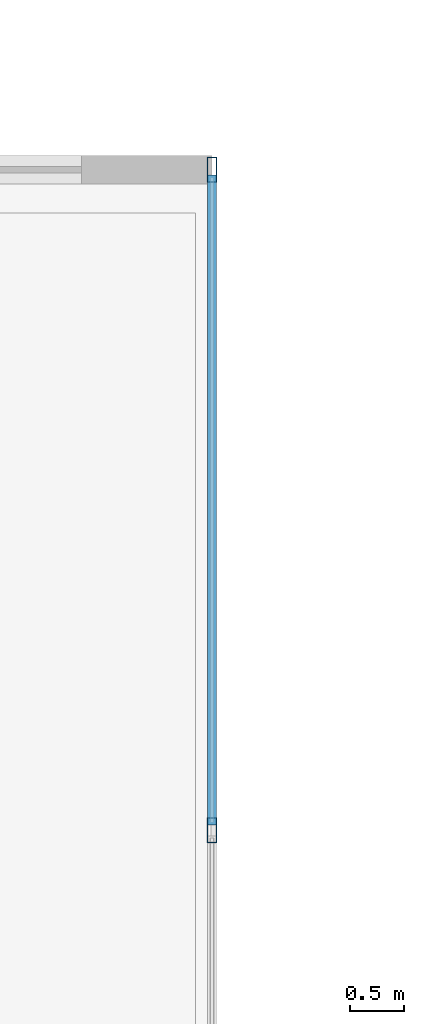
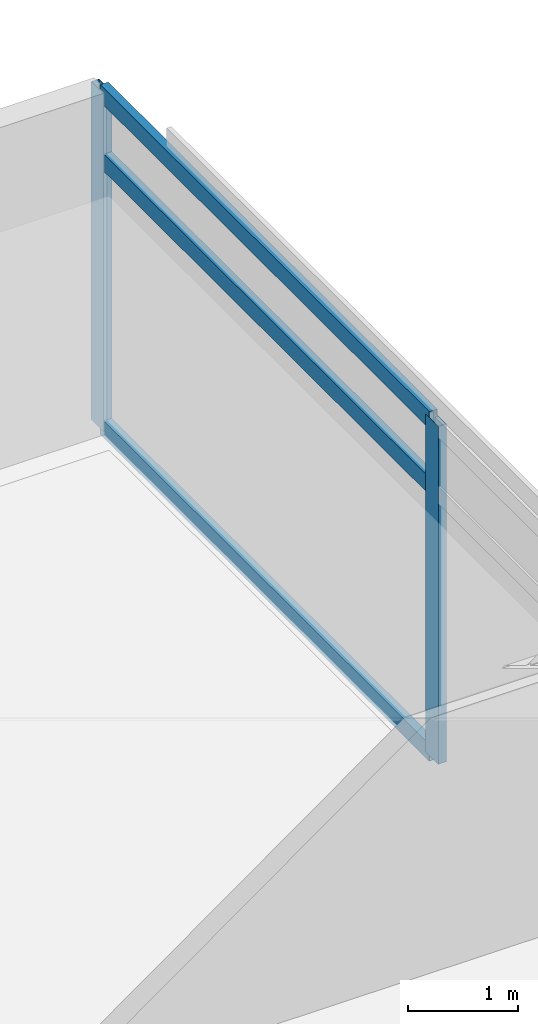
# One storey, part 11 of 20: 5 members, 1 element without a shape of its own.
"""IFC4 building model written with IfcOpenShell, lengths in metres."""

import ifcopenshell
import ifcopenshell.guid

model = None  # the IFC model being written
_history = None  # IfcOwnerHistory: only IFC2X3 demands one
_inside = {}  # id of a spatial element -> (the spatial element, [elements in it])
_under = {}  # id of a project, library or spatial element -> (it, [spatial elements below it])
_declared = {}  # id of a project -> (the project, [libraries it declares])
_typed = {}  # id of a type object -> (the type object, [elements of that type])
_made_of = {}  # id of a material, layer set ... -> (it, [elements and type objects made of it])


def new_model(schema):
    """Start an empty IFC model of exactly this schema.

    Asked for "IFC4X3", IfcOpenShell would pick the latest addendum, in which some entities
    have other attributes; the version numbers below select the first issue.
    IFC2X3 requires an IfcOwnerHistory on every rooted entity: one is made here for all.
    """
    global model, _history
    if schema == "IFC4X3":
        model = ifcopenshell.file(schema_version=(4, 3, 0, 0))
    else:
        model = ifcopenshell.file(schema=schema)
    _inside.clear()
    _under.clear()
    _declared.clear()
    _typed.clear()
    _made_of.clear()
    _history = None
    if model.schema == "IFC2X3":
        org = make("IfcOrganization", Name="unknown")
        user = make(
            "IfcPersonAndOrganization",
            ThePerson=make("IfcPerson", FamilyName="unknown"),
            TheOrganization=org,
        )
        app = make(
            "IfcApplication",
            ApplicationDeveloper=org,
            Version="unknown",
            ApplicationFullName="unknown",
            ApplicationIdentifier="unknown",
        )
        _history = make(
            "IfcOwnerHistory",
            OwningUser=user,
            OwningApplication=app,
            ChangeAction="ADDED",
            CreationDate=0,
        )
    return model


def make(cls, **values):
    """One entity of the class cls with the attributes given. An attribute that is None is left unset."""
    return model.create_entity(
        cls, **{name: value for name, value in values.items() if value is not None}
    )


def rooted(cls, **values):
    """An entity with a GlobalId (a new one), such as an element, a storey or a relation."""
    return make(cls, GlobalId=ifcopenshell.guid.new(), OwnerHistory=_history, **values)


def si_unit(unit_type, name, prefix=None):
    """IfcSIUnit, for example si_unit("LENGTHUNIT", "METRE", prefix="MILLI")."""
    return make("IfcSIUnit", UnitType=unit_type, Prefix=prefix, Name=name)


def assignment(units):
    """IfcUnitAssignment: the units of a project."""
    return None if units is None else make("IfcUnitAssignment", Units=units)


def point(xyz):
    """IfcCartesianPoint."""
    return None if xyz is None else make("IfcCartesianPoint", Coordinates=xyz)


def direction(xyz):
    """IfcDirection."""
    return None if xyz is None else make("IfcDirection", DirectionRatios=xyz)


def frame(location, z_axis=None, x_axis=None):
    """IfcAxis2Placement3D, a coordinate frame: its origin and axes. An axis left out is left unset."""
    return make(
        "IfcAxis2Placement3D",
        Location=point(location),
        Axis=direction(z_axis),
        RefDirection=direction(x_axis),
    )


def frame_2d(location, x_axis=None):
    """IfcAxis2Placement2D, a coordinate frame in the plane: its origin and x axis."""
    return make(
        "IfcAxis2Placement2D", Location=point(location), RefDirection=direction(x_axis)
    )


def origin():
    """The frame at (0, 0, 0) with its axes left unset."""
    return frame((0.0, 0.0, 0.0))


def origin_2d():
    """The frame at (0, 0) in the plane with its x axis left unset."""
    return frame_2d((0.0, 0.0))


def place(relative_to, where):
    """IfcLocalPlacement: puts the frame where relative to a parent placement (None: the world)."""
    return make(
        "IfcLocalPlacement", PlacementRelTo=relative_to, RelativePlacement=where
    )


def context(
    kind, dimensions, precision=None, world=None, true_north=None, identifier=None
):
    """IfcGeometricRepresentationContext, for example the 3D "Model" context."""
    return make(
        "IfcGeometricRepresentationContext",
        ContextIdentifier=identifier,
        ContextType=kind,
        CoordinateSpaceDimension=dimensions,
        Precision=precision,
        WorldCoordinateSystem=world,
        TrueNorth=true_north,
    )


def subcontext(parent, identifier, kind, view, scale=None):
    """IfcGeometricRepresentationSubContext, for example "Body" below "Model"."""
    return make(
        "IfcGeometricRepresentationSubContext",
        ContextIdentifier=identifier,
        ContextType=kind,
        ParentContext=parent,
        TargetScale=scale,
        TargetView=view,
    )


def project(units=None, contexts=None):
    """IfcProject with its units and contexts."""
    return rooted(
        "IfcProject",
        Name="project",
        RepresentationContexts=contexts,
        UnitsInContext=assignment(units),
    )


def spatial(cls, under=None, at=None, **own):
    """A site, building, storey or space (cls), placed at a placement, below another one or the project."""
    s = rooted(cls, ObjectPlacement=at, **own)
    if under is not None:
        _under.setdefault(under.id(), (under, []))[1].append(s)
    return s


def profile(cls, at=None, kind="AREA", **sizes):
    """A parametric profile (cls). Its sizes go by their IFC names, for example OverallWidth=200.0."""
    return make(cls, ProfileType=kind, Position=at, **sizes)


def hollow_rectangle(**sizes):
    """IfcRectangleHollowProfileDef."""
    return profile("IfcRectangleHollowProfileDef", **sizes)


def extrude(swept, where, along, depth):
    """IfcExtrudedAreaSolid: the profile swept, set in the frame where, extruded along a direction by depth."""
    return make(
        "IfcExtrudedAreaSolid",
        SweptArea=swept,
        Position=where,
        ExtrudedDirection=direction(along),
        Depth=depth,
    )


def shape(context_of_items, identifier, shape_type, items):
    """IfcShapeRepresentation: the items that make up one representation, for example the "Body"."""
    return make(
        "IfcShapeRepresentation",
        ContextOfItems=context_of_items,
        RepresentationIdentifier=identifier,
        RepresentationType=shape_type,
        Items=items,
    )


def material(Name=None, Category=None):
    """IfcMaterial."""
    return make("IfcMaterial", Name=Name, Category=Category)


def material_profile(
    of_material, cross_section, Name=None, Category=None, Priority=None
):
    """IfcMaterialProfile: a cross section and its material."""
    return make(
        "IfcMaterialProfile",
        Name=Name,
        Material=of_material,
        Profile=cross_section,
        Priority=Priority,
        Category=Category,
    )


def profile_set(profiles, Name=None, composite=None):
    """IfcMaterialProfileSet."""
    return make(
        "IfcMaterialProfileSet",
        Name=Name,
        MaterialProfiles=profiles,
        CompositeProfile=composite,
    )


def made_of(thing, what):
    """Note that an element or type object is made of a material, layer set ...; save() writes the relation."""
    if what is not None:
        _made_of.setdefault(what.id(), (what, []))[1].append(thing)
    return thing


def type_object(cls, material=None, **own):
    """A type object (cls), such as IfcWallType, which elements share."""
    return made_of(rooted(cls, **own), material)


def element(
    cls,
    number,
    at=None,
    inside=None,
    cuts=None,
    type_object=None,
    material=None,
    context=None,
    identifier="Body",
    shape_type=None,
    held_by="IfcProductDefinitionShape",
    body=None,
    shapes=None,
    **own,
):
    """One element of the class cls, such as IfcWall. Its Tag is "e" and its number.

    at: its placement. inside: the storey or other place that contains it. cuts: it is an
    opening in that element (IfcRelVoidsElement). A single representation is given by context,
    identifier, shape_type and body (its items); several are given by shapes. held_by: the class
    of the entity that holds the representations. save() writes the other relations.
    """
    e = rooted(cls, Tag="e%d" % number, ObjectPlacement=at, **own)
    if body is not None:
        shapes = [shape(context, identifier, shape_type, body)]
    if shapes is not None:
        e.Representation = make(held_by, Representations=shapes)
    if inside is not None:
        _inside.setdefault(inside.id(), (inside, []))[1].append(e)
    if cuts is not None:
        rooted(
            "IfcRelVoidsElement", RelatingBuildingElement=cuts, RelatedOpeningElement=e
        )
    if type_object is not None:
        _typed.setdefault(type_object.id(), (type_object, []))[1].append(e)
    return made_of(e, material)


def aggregate(whole, parts):
    """IfcRelAggregates: a whole, such as a stair, and the parts it consists of."""
    return rooted("IfcRelAggregates", RelatingObject=whole, RelatedObjects=parts)


def save(model, path):
    """Write the relations noted so far, then the file.

    IfcRelAggregates (storeys below a building ...), IfcRelContainedInSpatialStructure (elements
    in a storey), IfcRelDefinesByType, IfcRelAssociatesMaterial and IfcRelDeclares: one each for
    every whole, place, type object, material and project.
    """
    for whole, parts in _under.values():
        aggregate(whole, parts)
    for where, things in _inside.values():
        rooted(
            "IfcRelContainedInSpatialStructure",
            RelatedElements=things,
            RelatingStructure=where,
        )
    for kind, things in _typed.values():
        rooted("IfcRelDefinesByType", RelatedObjects=things, RelatingType=kind)
    for what, things in _made_of.values():
        rooted("IfcRelAssociatesMaterial", RelatedObjects=things, RelatingMaterial=what)
    for by, libraries in _declared.values():
        rooted("IfcRelDeclares", RelatingContext=by, RelatedDefinitions=libraries)
    model.write(path)


model = new_model("IFC4")

# Units and contexts
model_context = context("Model", 3, precision=1e-05, world=origin(), true_north=direction((0.0, 1.0)))
body_context = subcontext(model_context, "Body", "Model", "MODEL_VIEW")
ifc_project = project(units=[si_unit("LENGTHUNIT", "METRE"), si_unit("AREAUNIT", "SQUARE_METRE"), si_unit("VOLUMEUNIT", "CUBIC_METRE"), si_unit("PLANEANGLEUNIT", "RADIAN"), si_unit("MASSUNIT", "GRAM", prefix="KILO")], contexts=[model_context])

# Site, building, storey
site_placement = place(None, origin())
site = spatial("IfcSite", under=ifc_project, at=site_placement, CompositionType="ELEMENT")
building_placement = place(site_placement, origin())
building = spatial("IfcBuilding", under=site, at=building_placement, Name="Kovane Verandah Tower", CompositionType="ELEMENT")
storey_placement = place(building_placement, frame((0.0, 0.0, 330.800048828125)))
storey = spatial("IfcBuildingStorey", under=building, at=storey_placement, Name="L77", CompositionType="ELEMENT", Elevation=330.800048828125)

# Curtain wall, members
ifc_material_1 = material(Name="Champagne Anodised Aluminium Frame with Low-E Clear Laminated Glass", Category="aluminium")
curtain_wall_type = type_object("IfcCurtainWallType", Name="CW-SYS-05-HIGH", PredefinedType="NOTDEFINED", material=ifc_material_1)
curtain_wall_placement = place(storey_placement, origin())
curtain_wall = element("IfcCurtainWall", 1, at=curtain_wall_placement, inside=storey, type_object=curtain_wall_type, Name="L77 E Unitised Curtain Wall", PredefinedType="NOTDEFINED")
ifc_material_2 = material(Name="Champagne Anodised Aluminium 6063-T6", Category="aluminium")
ifc_material_profile_1 = material_profile(ifc_material_2, hollow_rectangle(XDim=0.0849609375, YDim=0.22998046875, WallThickness=0.00390625, at=origin_2d()), Name="AL85x230x4")
ifc_profile_set_1 = profile_set([ifc_material_profile_1], Name="Champagne Anodised Aluminium 6063-T6")
member_type_1 = type_object("IfcMemberType", Name="CW-MUL-85x230", PredefinedType="MULLION", material=ifc_profile_set_1)
member_1_placement = place(storey_placement, frame((64.636474609375, 39.6455078125, 0.02001953125), z_axis=(0.0, 0.0, 1.0), x_axis=(1.0, 0.0, 0.0)))
member_1 = element("IfcMember", 2, at=member_1_placement, type_object=member_type_1, Name="L77 E Unitised Curtain Wall Mullion 6", PredefinedType="MULLION", context=body_context, shape_type="SweptSolid", body=[
    extrude(hollow_rectangle(XDim=0.0849609375, YDim=0.22998046875, WallThickness=0.00390625, at=origin_2d()), origin(), (0.0, 0.0, 1.0), 3.744873046875),
])
member_2_placement = place(storey_placement, frame((64.636474609375, 45.71826171875, 0.02001953125), z_axis=(0.0, 0.0, 1.0), x_axis=(1.0, 0.0, 0.0)))
member_2 = element("IfcMember", 3, at=member_2_placement, type_object=member_type_1, Name="L77 E Unitised Curtain Wall Mullion 7", PredefinedType="MULLION", context=body_context, shape_type="SweptSolid", body=[
    extrude(hollow_rectangle(XDim=0.0849609375, YDim=0.22998046875, WallThickness=0.00390625, at=origin_2d()), origin(), (0.0, 0.0, 1.0), 3.744873046875),
])
ifc_material_profile_2 = material_profile(ifc_material_2, hollow_rectangle(XDim=0.0849609375, YDim=0.18994140625, WallThickness=0.00390625, at=origin_2d()), Name="AL85x190x4")
ifc_profile_set_2 = profile_set([ifc_material_profile_2], Name="Champagne Anodised Aluminium 6063-T6")
member_type_2 = type_object("IfcMemberType", Name="CW-TRN-85x190", PredefinedType="USERDEFINED", material=ifc_profile_set_2)
member_3_placement = place(storey_placement, frame((64.636474609375, 39.695556640625, 0.050048828125), z_axis=(0.0, 1.0, 0.0), x_axis=(-1.0, 0.0, 0.0)))
member_3 = element("IfcMember", 4, at=member_3_placement, type_object=member_type_2, Name="L77 E Unitised Curtain Wall Transom TB Bay 6", ObjectType="TRANSOM", PredefinedType="USERDEFINED", context=body_context, shape_type="SweptSolid", body=[
    extrude(hollow_rectangle(XDim=0.0849609375, YDim=0.18994140625, WallThickness=0.00390625, at=origin_2d()), origin(), (0.0, 0.0, 1.0), 5.97265625),
])
member_4_placement = place(storey_placement, frame((64.636474609375, 39.695556640625, 3.0048828125), z_axis=(0.0, 1.0, 0.0), x_axis=(-1.0, 0.0, 0.0)))
member_4 = element("IfcMember", 5, at=member_4_placement, type_object=member_type_2, Name="L77 E Unitised Curtain Wall Transom TM Bay 6", ObjectType="TRANSOM", PredefinedType="USERDEFINED", context=body_context, shape_type="SweptSolid", body=[
    extrude(hollow_rectangle(XDim=0.0849609375, YDim=0.18994140625, WallThickness=0.00390625, at=origin_2d()), origin(), (0.0, 0.0, 1.0), 5.97265625),
])
member_5_placement = place(storey_placement, frame((64.636474609375, 39.695556640625, 3.73486328125), z_axis=(0.0, 1.0, 0.0), x_axis=(-1.0, 0.0, 0.0)))
member_5 = element("IfcMember", 6, at=member_5_placement, type_object=member_type_2, Name="L77 E Unitised Curtain Wall Transom TT Bay 6", ObjectType="TRANSOM", PredefinedType="USERDEFINED", context=body_context, shape_type="SweptSolid", body=[
    extrude(hollow_rectangle(XDim=0.0849609375, YDim=0.18994140625, WallThickness=0.00390625, at=origin_2d()), origin(), (0.0, 0.0, 1.0), 5.97265625),
])
aggregate(curtain_wall, [member_1, member_2, member_3, member_4, member_5])

save(model, "model.ifc")
